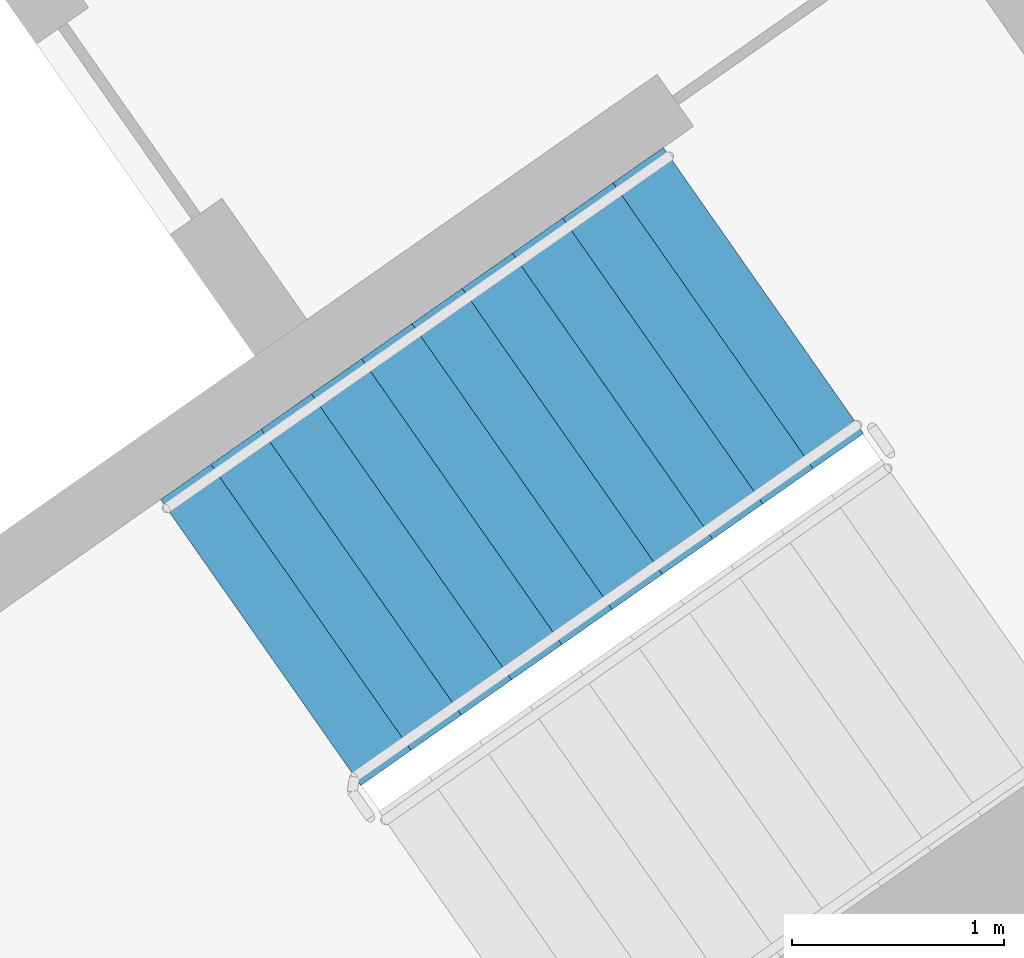
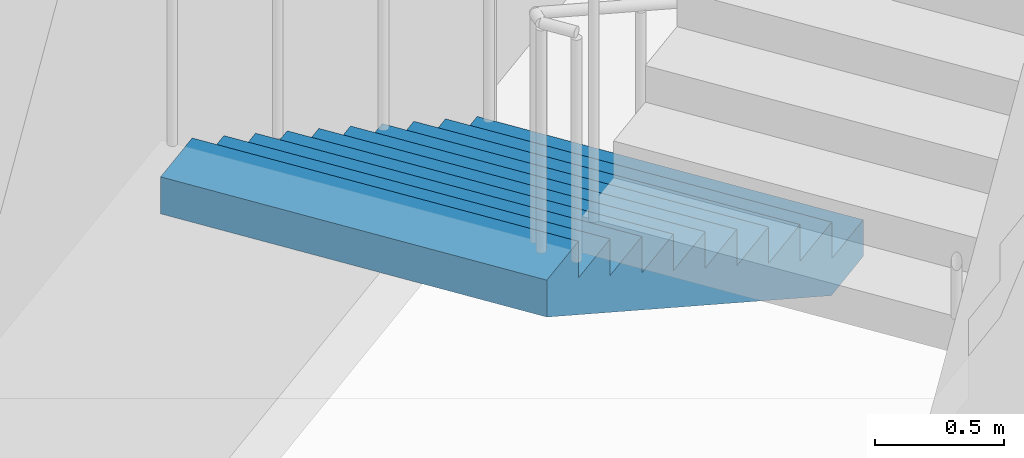
# One storey, part 14 of 29: 1 stair flight, 1 element without a shape of its own.
"""IFC4 building model written with IfcOpenShell, lengths in metres."""

import ifcopenshell
import ifcopenshell.guid

model = None  # the IFC model being written
_history = None  # IfcOwnerHistory: only IFC2X3 demands one
_inside = {}  # id of a spatial element -> (the spatial element, [elements in it])
_under = {}  # id of a project, library or spatial element -> (it, [spatial elements below it])
_declared = {}  # id of a project -> (the project, [libraries it declares])
_typed = {}  # id of a type object -> (the type object, [elements of that type])
_made_of = {}  # id of a material, layer set ... -> (it, [elements and type objects made of it])


def new_model(schema):
    """Start an empty IFC model of exactly this schema.

    Asked for "IFC4X3", IfcOpenShell would pick the latest addendum, in which some entities
    have other attributes; the version numbers below select the first issue.
    IFC2X3 requires an IfcOwnerHistory on every rooted entity: one is made here for all.
    """
    global model, _history
    if schema == "IFC4X3":
        model = ifcopenshell.file(schema_version=(4, 3, 0, 0))
    else:
        model = ifcopenshell.file(schema=schema)
    _inside.clear()
    _under.clear()
    _declared.clear()
    _typed.clear()
    _made_of.clear()
    _history = None
    if model.schema == "IFC2X3":
        org = make("IfcOrganization", Name="unknown")
        user = make(
            "IfcPersonAndOrganization",
            ThePerson=make("IfcPerson", FamilyName="unknown"),
            TheOrganization=org,
        )
        app = make(
            "IfcApplication",
            ApplicationDeveloper=org,
            Version="unknown",
            ApplicationFullName="unknown",
            ApplicationIdentifier="unknown",
        )
        _history = make(
            "IfcOwnerHistory",
            OwningUser=user,
            OwningApplication=app,
            ChangeAction="ADDED",
            CreationDate=0,
        )
    return model


def make(cls, **values):
    """One entity of the class cls with the attributes given. An attribute that is None is left unset."""
    return model.create_entity(
        cls, **{name: value for name, value in values.items() if value is not None}
    )


def rooted(cls, **values):
    """An entity with a GlobalId (a new one), such as an element, a storey or a relation."""
    return make(cls, GlobalId=ifcopenshell.guid.new(), OwnerHistory=_history, **values)


def si_unit(unit_type, name, prefix=None):
    """IfcSIUnit, for example si_unit("LENGTHUNIT", "METRE", prefix="MILLI")."""
    return make("IfcSIUnit", UnitType=unit_type, Prefix=prefix, Name=name)


def assignment(units):
    """IfcUnitAssignment: the units of a project."""
    return None if units is None else make("IfcUnitAssignment", Units=units)


def point(xyz):
    """IfcCartesianPoint."""
    return None if xyz is None else make("IfcCartesianPoint", Coordinates=xyz)


def direction(xyz):
    """IfcDirection."""
    return None if xyz is None else make("IfcDirection", DirectionRatios=xyz)


def frame(location, z_axis=None, x_axis=None):
    """IfcAxis2Placement3D, a coordinate frame: its origin and axes. An axis left out is left unset."""
    return make(
        "IfcAxis2Placement3D",
        Location=point(location),
        Axis=direction(z_axis),
        RefDirection=direction(x_axis),
    )


def origin():
    """The frame at (0, 0, 0) with its axes left unset."""
    return frame((0.0, 0.0, 0.0))


def place(relative_to, where):
    """IfcLocalPlacement: puts the frame where relative to a parent placement (None: the world)."""
    return make(
        "IfcLocalPlacement", PlacementRelTo=relative_to, RelativePlacement=where
    )


def context(
    kind, dimensions, precision=None, world=None, true_north=None, identifier=None
):
    """IfcGeometricRepresentationContext, for example the 3D "Model" context."""
    return make(
        "IfcGeometricRepresentationContext",
        ContextIdentifier=identifier,
        ContextType=kind,
        CoordinateSpaceDimension=dimensions,
        Precision=precision,
        WorldCoordinateSystem=world,
        TrueNorth=true_north,
    )


def subcontext(parent, identifier, kind, view, scale=None):
    """IfcGeometricRepresentationSubContext, for example "Body" below "Model"."""
    return make(
        "IfcGeometricRepresentationSubContext",
        ContextIdentifier=identifier,
        ContextType=kind,
        ParentContext=parent,
        TargetScale=scale,
        TargetView=view,
    )


def project(units=None, contexts=None):
    """IfcProject with its units and contexts."""
    return rooted(
        "IfcProject",
        Name="project",
        RepresentationContexts=contexts,
        UnitsInContext=assignment(units),
    )


def spatial(cls, under=None, at=None, **own):
    """A site, building, storey or space (cls), placed at a placement, below another one or the project."""
    s = rooted(cls, ObjectPlacement=at, **own)
    if under is not None:
        _under.setdefault(under.id(), (under, []))[1].append(s)
    return s


def faces_of(points, faces, orient=None, outer=None):
    """IfcFace entities. A face is a list of loops; a loop is a list of indices into points, from 0.

    orient and outer hold one flag for each loop. By default every Orientation is true, the
    first loop of a face is its IfcFaceOuterBound and the others are IfcFaceBound.
    """
    made = []
    for i, loops in enumerate(faces):
        bounds = []
        for j, loop in enumerate(loops):
            is_outer = j == 0 if outer is None else outer[i][j]
            bounds.append(
                make(
                    "IfcFaceOuterBound" if is_outer else "IfcFaceBound",
                    Bound=make("IfcPolyLoop", Polygon=[points[k] for k in loop]),
                    Orientation=True if orient is None else orient[i][j],
                )
            )
        made.append(make("IfcFace", Bounds=bounds))
    return made


def faceted_brep(points, faces, orient=None, outer=None, voids=None):
    """IfcFacetedBrep: a solid bounded by flat faces; with voids (closed shells), ...WithVoids."""
    shared = [point(p) for p in points]
    hull = make("IfcClosedShell", CfsFaces=faces_of(shared, faces, orient, outer))
    if voids is None:
        return make("IfcFacetedBrep", Outer=hull)
    return make(
        "IfcFacetedBrepWithVoids",
        Outer=hull,
        Voids=[
            make(cls, CfsFaces=faces_of(shared, fs, o, b)) for cls, fs, o, b in voids
        ],
    )


def shape(context_of_items, identifier, shape_type, items):
    """IfcShapeRepresentation: the items that make up one representation, for example the "Body"."""
    return make(
        "IfcShapeRepresentation",
        ContextOfItems=context_of_items,
        RepresentationIdentifier=identifier,
        RepresentationType=shape_type,
        Items=items,
    )


def material(Name=None, Category=None):
    """IfcMaterial."""
    return make("IfcMaterial", Name=Name, Category=Category)


def made_of(thing, what):
    """Note that an element or type object is made of a material, layer set ...; save() writes the relation."""
    if what is not None:
        _made_of.setdefault(what.id(), (what, []))[1].append(thing)
    return thing


def type_object(cls, material=None, **own):
    """A type object (cls), such as IfcWallType, which elements share."""
    return made_of(rooted(cls, **own), material)


def element(
    cls,
    number,
    at=None,
    inside=None,
    cuts=None,
    type_object=None,
    material=None,
    context=None,
    identifier="Body",
    shape_type=None,
    held_by="IfcProductDefinitionShape",
    body=None,
    shapes=None,
    **own,
):
    """One element of the class cls, such as IfcWall. Its Tag is "e" and its number.

    at: its placement. inside: the storey or other place that contains it. cuts: it is an
    opening in that element (IfcRelVoidsElement). A single representation is given by context,
    identifier, shape_type and body (its items); several are given by shapes. held_by: the class
    of the entity that holds the representations. save() writes the other relations.
    """
    e = rooted(cls, Tag="e%d" % number, ObjectPlacement=at, **own)
    if body is not None:
        shapes = [shape(context, identifier, shape_type, body)]
    if shapes is not None:
        e.Representation = make(held_by, Representations=shapes)
    if inside is not None:
        _inside.setdefault(inside.id(), (inside, []))[1].append(e)
    if cuts is not None:
        rooted(
            "IfcRelVoidsElement", RelatingBuildingElement=cuts, RelatedOpeningElement=e
        )
    if type_object is not None:
        _typed.setdefault(type_object.id(), (type_object, []))[1].append(e)
    return made_of(e, material)


def aggregate(whole, parts):
    """IfcRelAggregates: a whole, such as a stair, and the parts it consists of."""
    return rooted("IfcRelAggregates", RelatingObject=whole, RelatedObjects=parts)


def save(model, path):
    """Write the relations noted so far, then the file.

    IfcRelAggregates (storeys below a building ...), IfcRelContainedInSpatialStructure (elements
    in a storey), IfcRelDefinesByType, IfcRelAssociatesMaterial and IfcRelDeclares: one each for
    every whole, place, type object, material and project.
    """
    for whole, parts in _under.values():
        aggregate(whole, parts)
    for where, things in _inside.values():
        rooted(
            "IfcRelContainedInSpatialStructure",
            RelatedElements=things,
            RelatingStructure=where,
        )
    for kind, things in _typed.values():
        rooted("IfcRelDefinesByType", RelatedObjects=things, RelatingType=kind)
    for what, things in _made_of.values():
        rooted("IfcRelAssociatesMaterial", RelatedObjects=things, RelatingMaterial=what)
    for by, libraries in _declared.values():
        rooted("IfcRelDeclares", RelatingContext=by, RelatedDefinitions=libraries)
    model.write(path)


model = new_model("IFC4")

# Units and contexts
model_context = context("Model", 3, precision=1e-05, world=origin(), true_north=direction((0.0, 1.0)))
body_context = subcontext(model_context, "Body", "Model", "MODEL_VIEW")
ifc_project = project(units=[si_unit("LENGTHUNIT", "METRE"), si_unit("AREAUNIT", "SQUARE_METRE"), si_unit("VOLUMEUNIT", "CUBIC_METRE"), si_unit("PLANEANGLEUNIT", "RADIAN"), si_unit("MASSUNIT", "GRAM", prefix="KILO")], contexts=[model_context])

# Site, building, storey
site_placement = place(None, origin())
site = spatial("IfcSite", under=ifc_project, at=site_placement, CompositionType="ELEMENT")
building_placement = place(site_placement, origin())
building = spatial("IfcBuilding", under=site, at=building_placement, Name="Qamariyya Broadcast Tower", CompositionType="ELEMENT")
storey_placement = place(building_placement, frame((0.0, 0.0, 207.5)))
storey = spatial("IfcBuildingStorey", under=building, at=storey_placement, Name="L49", CompositionType="ELEMENT", Elevation=207.5)

# Stair, stair flight
ifc_material = material(Name="Concrete C50/60", Category="concrete")
stair_type = type_object("IfcStairType", Name="Exit stair 22 risers of 173 mm", PredefinedType="HALF_TURN_STAIR", material=ifc_material)
stair_placement = place(storey_placement, origin())
stair = element("IfcStair", 1, at=stair_placement, inside=storey, type_object=stair_type, Name="L49 Stair E1", PredefinedType="HALF_TURN_STAIR")
stair_flight_type = type_object("IfcStairFlightType", Name="Exit stair flight 11 risers of 173 mm", PredefinedType="STRAIGHT", material=ifc_material)
stair_flight_placement = place(storey_placement, frame((46.036376953125, -55.508056640625, 0.0), z_axis=(0.0, 0.0, 1.0), x_axis=(-0.819152044289, -0.573576436351, 0.0)))
stair_flight = element("IfcStairFlight", 2, at=stair_flight_placement, type_object=stair_flight_type, Name="ST-E1 flight 1", NumberOfRisers=11, NumberOfTreads=10, PredefinedType="STRAIGHT", RiserHeight=0.172727273, TreadLength=0.29, context=body_context, shape_type="Brep", body=[
    faceted_brep([(0.0, 0.824951171875, 0.0), (0.0, 0.824951171875, 0.172607421875), (0.2900390625, 0.824951171875, 0.172607421875), (0.2900390625, 0.824951171875, 0.345458984375), (0.580078125, 0.824951171875, 0.345458984375), (0.580078125, 0.824951171875, 0.51806640625), (0.8701171875, 0.824951171875, 0.51806640625), (0.8701171875, 0.824951171875, 0.69091796875), (1.159912109375, 0.824951171875, 0.69091796875), (1.159912109375, 0.824951171875, 0.863525390625), (1.449951171875, 0.824951171875, 0.863525390625), (1.449951171875, 0.824951171875, 1.036376953125), (1.739990234375, 0.824951171875, 1.036376953125), (1.739990234375, 0.824951171875, 1.208984375), (2.030029296875, 0.824951171875, 1.208984375), (2.030029296875, 0.824951171875, 1.3818359375), (2.320068359375, 0.824951171875, 1.3818359375), (2.320068359375, 0.824951171875, 1.554443359375), (2.610107421875, 0.824951171875, 1.554443359375), (2.610107421875, 0.824951171875, 1.727294921875), (2.89990234375, 0.824951171875, 1.727294921875), (2.89990234375, 0.824951171875, 1.552734375), (0.29296875, 0.824951171875, 0.0), (0.29296875, -0.824951171875, 0.0), (2.89990234375, -0.824951171875, 1.552734375), (2.89990234375, -0.824951171875, 1.727294921875), (2.610107421875, -0.824951171875, 1.727294921875), (2.610107421875, -0.824951171875, 1.554443359375), (2.320068359375, -0.824951171875, 1.554443359375), (2.320068359375, -0.824951171875, 1.3818359375), (2.030029296875, -0.824951171875, 1.3818359375), (2.030029296875, -0.824951171875, 1.208984375), (1.739990234375, -0.824951171875, 1.208984375), (1.739990234375, -0.824951171875, 1.036376953125), (1.449951171875, -0.824951171875, 1.036376953125), (1.449951171875, -0.824951171875, 0.863525390625), (1.159912109375, -0.824951171875, 0.863525390625), (1.159912109375, -0.824951171875, 0.69091796875), (0.8701171875, -0.824951171875, 0.69091796875), (0.8701171875, -0.824951171875, 0.51806640625), (0.580078125, -0.824951171875, 0.51806640625), (0.580078125, -0.824951171875, 0.345458984375), (0.2900390625, -0.824951171875, 0.345458984375), (0.2900390625, -0.824951171875, 0.172607421875), (0.0, -0.824951171875, 0.172607421875), (0.0, -0.824951171875, 0.0), (0.0, 0.10009765625, 0.0), (0.0, 0.086669921875, 0.0), (0.0, 0.0732421875, 0.0), (0.0, 0.06005859375, 0.0), (0.0, 0.046630859375, 0.0), (0.0, 0.033447265625, 0.0), (0.0, 0.02001953125, 0.0), (0.0, 0.006591796875, 0.0), (0.0, -0.006591796875, 0.0), (0.0, -0.02001953125, 0.0), (0.0, -0.033447265625, 0.0), (0.0, -0.046630859375, 0.0), (0.0, -0.06005859375, 0.0), (0.0, -0.0732421875, 0.0), (0.0, -0.086669921875, 0.0), (0.0, -0.10009765625, 0.0), (0.0, -0.10009765625, 0.172607421875), (0.0, -0.086669921875, 0.172607421875), (0.0, -0.0732421875, 0.172607421875), (0.0, -0.06005859375, 0.172607421875), (0.0, -0.046630859375, 0.172607421875), (0.0, -0.033447265625, 0.172607421875), (0.0, -0.02001953125, 0.172607421875), (0.0, -0.006591796875, 0.172607421875), (0.0, 0.006591796875, 0.172607421875), (0.0, 0.02001953125, 0.172607421875), (0.0, 0.033447265625, 0.172607421875), (0.0, 0.046630859375, 0.172607421875), (0.0, 0.06005859375, 0.172607421875), (0.0, 0.0732421875, 0.172607421875), (0.0, 0.086669921875, 0.172607421875), (0.0, 0.10009765625, 0.172607421875), (0.2900390625, -0.10009765625, 0.172607421875), (0.2900390625, -0.086669921875, 0.172607421875), (0.2900390625, -0.0732421875, 0.172607421875), (0.2900390625, -0.06005859375, 0.172607421875), (0.2900390625, -0.046630859375, 0.172607421875), (0.2900390625, -0.033447265625, 0.172607421875), (0.2900390625, -0.02001953125, 0.172607421875), (0.2900390625, -0.006591796875, 0.172607421875), (0.2900390625, 0.006591796875, 0.172607421875), (0.2900390625, 0.02001953125, 0.172607421875), (0.2900390625, 0.033447265625, 0.172607421875), (0.2900390625, 0.046630859375, 0.172607421875), (0.2900390625, 0.06005859375, 0.172607421875), (0.2900390625, 0.0732421875, 0.172607421875), (0.2900390625, 0.086669921875, 0.172607421875), (0.2900390625, 0.10009765625, 0.172607421875), (0.2900390625, -0.10009765625, 0.345458984375), (0.2900390625, -0.086669921875, 0.345458984375), (0.2900390625, -0.0732421875, 0.345458984375), (0.2900390625, -0.06005859375, 0.345458984375), (0.2900390625, -0.046630859375, 0.345458984375), (0.2900390625, -0.033447265625, 0.345458984375), (0.2900390625, -0.02001953125, 0.345458984375), (0.2900390625, -0.006591796875, 0.345458984375), (0.2900390625, 0.006591796875, 0.345458984375), (0.2900390625, 0.02001953125, 0.345458984375), (0.2900390625, 0.033447265625, 0.345458984375), (0.2900390625, 0.046630859375, 0.345458984375), (0.2900390625, 0.06005859375, 0.345458984375), (0.2900390625, 0.0732421875, 0.345458984375), (0.2900390625, 0.086669921875, 0.345458984375), (0.2900390625, 0.10009765625, 0.345458984375), (0.580078125, -0.10009765625, 0.345458984375), (0.580078125, -0.086669921875, 0.345458984375), (0.580078125, -0.0732421875, 0.345458984375), (0.580078125, -0.06005859375, 0.345458984375), (0.580078125, -0.046630859375, 0.345458984375), (0.580078125, -0.033447265625, 0.345458984375), (0.580078125, -0.02001953125, 0.345458984375), (0.580078125, -0.006591796875, 0.345458984375), (0.580078125, 0.006591796875, 0.345458984375), (0.580078125, 0.02001953125, 0.345458984375), (0.580078125, 0.033447265625, 0.345458984375), (0.580078125, 0.046630859375, 0.345458984375), (0.580078125, 0.06005859375, 0.345458984375), (0.580078125, 0.0732421875, 0.345458984375), (0.580078125, 0.086669921875, 0.345458984375), (0.580078125, 0.10009765625, 0.345458984375), (0.580078125, -0.10009765625, 0.51806640625), (0.580078125, -0.086669921875, 0.51806640625), (0.580078125, -0.0732421875, 0.51806640625), (0.580078125, -0.06005859375, 0.51806640625), (0.580078125, -0.046630859375, 0.51806640625), (0.580078125, -0.033447265625, 0.51806640625), (0.580078125, -0.02001953125, 0.51806640625), (0.580078125, -0.006591796875, 0.51806640625), (0.580078125, 0.006591796875, 0.51806640625), (0.580078125, 0.02001953125, 0.51806640625), (0.580078125, 0.033447265625, 0.51806640625), (0.580078125, 0.046630859375, 0.51806640625), (0.580078125, 0.06005859375, 0.51806640625), (0.580078125, 0.0732421875, 0.51806640625), (0.580078125, 0.086669921875, 0.51806640625), (0.580078125, 0.10009765625, 0.51806640625), (0.8701171875, -0.10009765625, 0.51806640625), (0.8701171875, -0.086669921875, 0.51806640625), (0.8701171875, -0.0732421875, 0.51806640625), (0.8701171875, -0.06005859375, 0.51806640625), (0.8701171875, -0.046630859375, 0.51806640625), (0.8701171875, -0.033447265625, 0.51806640625), (0.8701171875, -0.02001953125, 0.51806640625), (0.8701171875, -0.006591796875, 0.51806640625), (0.8701171875, 0.006591796875, 0.51806640625), (0.8701171875, 0.02001953125, 0.51806640625), (0.8701171875, 0.033447265625, 0.51806640625), (0.8701171875, 0.046630859375, 0.51806640625), (0.8701171875, 0.06005859375, 0.51806640625), (0.8701171875, 0.0732421875, 0.51806640625), (0.8701171875, 0.086669921875, 0.51806640625), (0.8701171875, 0.10009765625, 0.51806640625), (0.8701171875, -0.10009765625, 0.69091796875), (0.8701171875, -0.086669921875, 0.69091796875), (0.8701171875, -0.0732421875, 0.69091796875), (0.8701171875, -0.06005859375, 0.69091796875), (0.8701171875, -0.046630859375, 0.69091796875), (0.8701171875, -0.033447265625, 0.69091796875), (0.8701171875, -0.02001953125, 0.69091796875), (0.8701171875, -0.006591796875, 0.69091796875), (0.8701171875, 0.006591796875, 0.69091796875), (0.8701171875, 0.02001953125, 0.69091796875), (0.8701171875, 0.033447265625, 0.69091796875), (0.8701171875, 0.046630859375, 0.69091796875), (0.8701171875, 0.06005859375, 0.69091796875), (0.8701171875, 0.0732421875, 0.69091796875), (0.8701171875, 0.086669921875, 0.69091796875), (0.8701171875, 0.10009765625, 0.69091796875), (1.159912109375, -0.10009765625, 0.69091796875), (1.159912109375, -0.086669921875, 0.69091796875), (1.159912109375, -0.0732421875, 0.69091796875), (1.159912109375, -0.06005859375, 0.69091796875), (1.159912109375, -0.046630859375, 0.69091796875), (1.159912109375, -0.033447265625, 0.69091796875), (1.159912109375, -0.02001953125, 0.69091796875), (1.159912109375, -0.006591796875, 0.69091796875), (1.159912109375, 0.006591796875, 0.69091796875), (1.159912109375, 0.02001953125, 0.69091796875), (1.159912109375, 0.033447265625, 0.69091796875), (1.159912109375, 0.046630859375, 0.69091796875), (1.159912109375, 0.06005859375, 0.69091796875), (1.159912109375, 0.0732421875, 0.69091796875), (1.159912109375, 0.086669921875, 0.69091796875), (1.159912109375, 0.10009765625, 0.69091796875), (1.159912109375, -0.10009765625, 0.863525390625), (1.159912109375, -0.086669921875, 0.863525390625), (1.159912109375, -0.0732421875, 0.863525390625), (1.159912109375, -0.06005859375, 0.863525390625), (1.159912109375, -0.046630859375, 0.863525390625), (1.159912109375, -0.033447265625, 0.863525390625), (1.159912109375, -0.02001953125, 0.863525390625), (1.159912109375, -0.006591796875, 0.863525390625), (1.159912109375, 0.006591796875, 0.863525390625), (1.159912109375, 0.02001953125, 0.863525390625), (1.159912109375, 0.033447265625, 0.863525390625), (1.159912109375, 0.046630859375, 0.863525390625), (1.159912109375, 0.06005859375, 0.863525390625), (1.159912109375, 0.0732421875, 0.863525390625), (1.159912109375, 0.086669921875, 0.863525390625), (1.159912109375, 0.10009765625, 0.863525390625), (1.449951171875, -0.10009765625, 0.863525390625), (1.449951171875, -0.086669921875, 0.863525390625), (1.449951171875, -0.0732421875, 0.863525390625), (1.449951171875, -0.06005859375, 0.863525390625), (1.449951171875, -0.046630859375, 0.863525390625), (1.449951171875, -0.033447265625, 0.863525390625), (1.449951171875, -0.02001953125, 0.863525390625), (1.449951171875, -0.006591796875, 0.863525390625), (1.449951171875, 0.006591796875, 0.863525390625), (1.449951171875, 0.02001953125, 0.863525390625), (1.449951171875, 0.033447265625, 0.863525390625), (1.449951171875, 0.046630859375, 0.863525390625), (1.449951171875, 0.06005859375, 0.863525390625), (1.449951171875, 0.0732421875, 0.863525390625), (1.449951171875, 0.086669921875, 0.863525390625), (1.449951171875, 0.10009765625, 0.863525390625), (1.449951171875, -0.10009765625, 1.036376953125), (1.449951171875, -0.086669921875, 1.036376953125), (1.449951171875, -0.0732421875, 1.036376953125), (1.449951171875, -0.06005859375, 1.036376953125), (1.449951171875, -0.046630859375, 1.036376953125), (1.449951171875, -0.033447265625, 1.036376953125), (1.449951171875, -0.02001953125, 1.036376953125), (1.449951171875, -0.006591796875, 1.036376953125), (1.449951171875, 0.006591796875, 1.036376953125), (1.449951171875, 0.02001953125, 1.036376953125), (1.449951171875, 0.033447265625, 1.036376953125), (1.449951171875, 0.046630859375, 1.036376953125), (1.449951171875, 0.06005859375, 1.036376953125), (1.449951171875, 0.0732421875, 1.036376953125), (1.449951171875, 0.086669921875, 1.036376953125), (1.449951171875, 0.10009765625, 1.036376953125), (1.739990234375, -0.10009765625, 1.036376953125), (1.739990234375, -0.086669921875, 1.036376953125), (1.739990234375, -0.0732421875, 1.036376953125), (1.739990234375, -0.06005859375, 1.036376953125), (1.739990234375, -0.046630859375, 1.036376953125), (1.739990234375, -0.033447265625, 1.036376953125), (1.739990234375, -0.02001953125, 1.036376953125), (1.739990234375, -0.006591796875, 1.036376953125), (1.739990234375, 0.006591796875, 1.036376953125), (1.739990234375, 0.02001953125, 1.036376953125), (1.739990234375, 0.033447265625, 1.036376953125), (1.739990234375, 0.046630859375, 1.036376953125), (1.739990234375, 0.06005859375, 1.036376953125), (1.739990234375, 0.0732421875, 1.036376953125), (1.739990234375, 0.086669921875, 1.036376953125), (1.739990234375, 0.10009765625, 1.036376953125), (1.739990234375, -0.10009765625, 1.208984375), (1.739990234375, -0.086669921875, 1.208984375), (1.739990234375, -0.0732421875, 1.208984375), (1.739990234375, -0.06005859375, 1.208984375), (1.739990234375, -0.046630859375, 1.208984375), (1.739990234375, -0.033447265625, 1.208984375), (1.739990234375, -0.02001953125, 1.208984375), (1.739990234375, -0.006591796875, 1.208984375), (1.739990234375, 0.006591796875, 1.208984375), (1.739990234375, 0.02001953125, 1.208984375), (1.739990234375, 0.033447265625, 1.208984375), (1.739990234375, 0.046630859375, 1.208984375), (1.739990234375, 0.06005859375, 1.208984375), (1.739990234375, 0.0732421875, 1.208984375), (1.739990234375, 0.086669921875, 1.208984375), (1.739990234375, 0.10009765625, 1.208984375), (2.030029296875, -0.10009765625, 1.208984375), (2.030029296875, -0.086669921875, 1.208984375), (2.030029296875, -0.0732421875, 1.208984375), (2.030029296875, -0.06005859375, 1.208984375), (2.030029296875, -0.046630859375, 1.208984375), (2.030029296875, -0.033447265625, 1.208984375), (2.030029296875, -0.02001953125, 1.208984375), (2.030029296875, -0.006591796875, 1.208984375), (2.030029296875, 0.006591796875, 1.208984375), (2.030029296875, 0.02001953125, 1.208984375), (2.030029296875, 0.033447265625, 1.208984375), (2.030029296875, 0.046630859375, 1.208984375), (2.030029296875, 0.06005859375, 1.208984375), (2.030029296875, 0.0732421875, 1.208984375), (2.030029296875, 0.086669921875, 1.208984375), (2.030029296875, 0.10009765625, 1.208984375), (2.030029296875, -0.10009765625, 1.3818359375), (2.030029296875, -0.086669921875, 1.3818359375), (2.030029296875, -0.0732421875, 1.3818359375), (2.030029296875, -0.06005859375, 1.3818359375), (2.030029296875, -0.046630859375, 1.3818359375), (2.030029296875, -0.033447265625, 1.3818359375), (2.030029296875, -0.02001953125, 1.3818359375), (2.030029296875, -0.006591796875, 1.3818359375), (2.030029296875, 0.006591796875, 1.3818359375), (2.030029296875, 0.02001953125, 1.3818359375), (2.030029296875, 0.033447265625, 1.3818359375), (2.030029296875, 0.046630859375, 1.3818359375), (2.030029296875, 0.06005859375, 1.3818359375), (2.030029296875, 0.0732421875, 1.3818359375), (2.030029296875, 0.086669921875, 1.3818359375), (2.030029296875, 0.10009765625, 1.3818359375), (2.320068359375, -0.10009765625, 1.3818359375), (2.320068359375, -0.086669921875, 1.3818359375), (2.320068359375, -0.0732421875, 1.3818359375), (2.320068359375, -0.06005859375, 1.3818359375), (2.320068359375, -0.046630859375, 1.3818359375), (2.320068359375, -0.033447265625, 1.3818359375), (2.320068359375, -0.02001953125, 1.3818359375), (2.320068359375, -0.006591796875, 1.3818359375), (2.320068359375, 0.006591796875, 1.3818359375), (2.320068359375, 0.02001953125, 1.3818359375), (2.320068359375, 0.033447265625, 1.3818359375), (2.320068359375, 0.046630859375, 1.3818359375), (2.320068359375, 0.06005859375, 1.3818359375), (2.320068359375, 0.0732421875, 1.3818359375), (2.320068359375, 0.086669921875, 1.3818359375), (2.320068359375, 0.10009765625, 1.3818359375), (2.320068359375, -0.10009765625, 1.554443359375), (2.320068359375, -0.086669921875, 1.554443359375), (2.320068359375, -0.0732421875, 1.554443359375), (2.320068359375, -0.06005859375, 1.554443359375), (2.320068359375, -0.046630859375, 1.554443359375), (2.320068359375, -0.033447265625, 1.554443359375), (2.320068359375, -0.02001953125, 1.554443359375), (2.320068359375, -0.006591796875, 1.554443359375), (2.320068359375, 0.006591796875, 1.554443359375), (2.320068359375, 0.02001953125, 1.554443359375), (2.320068359375, 0.033447265625, 1.554443359375), (2.320068359375, 0.046630859375, 1.554443359375), (2.320068359375, 0.06005859375, 1.554443359375), (2.320068359375, 0.0732421875, 1.554443359375), (2.320068359375, 0.086669921875, 1.554443359375), (2.320068359375, 0.10009765625, 1.554443359375), (2.610107421875, -0.10009765625, 1.554443359375), (2.610107421875, -0.086669921875, 1.554443359375), (2.610107421875, -0.0732421875, 1.554443359375), (2.610107421875, -0.06005859375, 1.554443359375), (2.610107421875, -0.046630859375, 1.554443359375), (2.610107421875, -0.033447265625, 1.554443359375), (2.610107421875, -0.02001953125, 1.554443359375), (2.610107421875, -0.006591796875, 1.554443359375), (2.610107421875, 0.006591796875, 1.554443359375), (2.610107421875, 0.02001953125, 1.554443359375), (2.610107421875, 0.033447265625, 1.554443359375), (2.610107421875, 0.046630859375, 1.554443359375), (2.610107421875, 0.06005859375, 1.554443359375), (2.610107421875, 0.0732421875, 1.554443359375), (2.610107421875, 0.086669921875, 1.554443359375), (2.610107421875, 0.10009765625, 1.554443359375), (2.610107421875, -0.10009765625, 1.727294921875), (2.610107421875, -0.086669921875, 1.727294921875), (2.610107421875, -0.0732421875, 1.727294921875), (2.610107421875, -0.06005859375, 1.727294921875), (2.610107421875, -0.046630859375, 1.727294921875), (2.610107421875, -0.033447265625, 1.727294921875), (2.610107421875, -0.02001953125, 1.727294921875), (2.610107421875, -0.006591796875, 1.727294921875), (2.610107421875, 0.006591796875, 1.727294921875), (2.610107421875, 0.02001953125, 1.727294921875), (2.610107421875, 0.033447265625, 1.727294921875), (2.610107421875, 0.046630859375, 1.727294921875), (2.610107421875, 0.06005859375, 1.727294921875), (2.610107421875, 0.0732421875, 1.727294921875), (2.610107421875, 0.086669921875, 1.727294921875), (2.610107421875, 0.10009765625, 1.727294921875), (2.89990234375, -0.10009765625, 1.727294921875), (2.89990234375, -0.086669921875, 1.727294921875), (2.89990234375, -0.0732421875, 1.727294921875), (2.89990234375, -0.06005859375, 1.727294921875), (2.89990234375, -0.046630859375, 1.727294921875), (2.89990234375, -0.033447265625, 1.727294921875), (2.89990234375, -0.02001953125, 1.727294921875), (2.89990234375, -0.006591796875, 1.727294921875), (2.89990234375, 0.006591796875, 1.727294921875), (2.89990234375, 0.02001953125, 1.727294921875), (2.89990234375, 0.033447265625, 1.727294921875), (2.89990234375, 0.046630859375, 1.727294921875), (2.89990234375, 0.06005859375, 1.727294921875), (2.89990234375, 0.0732421875, 1.727294921875), (2.89990234375, 0.086669921875, 1.727294921875), (2.89990234375, 0.10009765625, 1.727294921875), (2.89990234375, -0.10009765625, 1.552734375), (2.89990234375, -0.086669921875, 1.552734375), (2.89990234375, -0.0732421875, 1.552734375), (2.89990234375, -0.06005859375, 1.552734375), (2.89990234375, -0.046630859375, 1.552734375), (2.89990234375, -0.033447265625, 1.552734375), (2.89990234375, -0.02001953125, 1.552734375), (2.89990234375, -0.006591796875, 1.552734375), (2.89990234375, 0.006591796875, 1.552734375), (2.89990234375, 0.02001953125, 1.552734375), (2.89990234375, 0.033447265625, 1.552734375), (2.89990234375, 0.046630859375, 1.552734375), (2.89990234375, 0.06005859375, 1.552734375), (2.89990234375, 0.0732421875, 1.552734375), (2.89990234375, 0.086669921875, 1.552734375), (2.89990234375, 0.10009765625, 1.552734375), (0.29296875, -0.10009765625, 0.0), (0.29296875, -0.086669921875, 0.0), (0.29296875, -0.0732421875, 0.0), (0.29296875, -0.06005859375, 0.0), (0.29296875, -0.046630859375, 0.0), (0.29296875, -0.033447265625, 0.0), (0.29296875, -0.02001953125, 0.0), (0.29296875, -0.006591796875, 0.0), (0.29296875, 0.006591796875, 0.0), (0.29296875, 0.02001953125, 0.0), (0.29296875, 0.033447265625, 0.0), (0.29296875, 0.046630859375, 0.0), (0.29296875, 0.06005859375, 0.0), (0.29296875, 0.0732421875, 0.0), (0.29296875, 0.086669921875, 0.0), (0.29296875, 0.10009765625, 0.0)], [[[0, 1, 2, 3, 4, 5, 6, 7, 8, 9, 10, 11, 12, 13, 14, 15, 16, 17, 18, 19, 20, 21, 22]], [[23, 24, 25, 26, 27, 28, 29, 30, 31, 32, 33, 34, 35, 36, 37, 38, 39, 40, 41, 42, 43, 44, 45]], [[0, 46, 47, 48, 49, 50, 51, 52, 53, 54, 55, 56, 57, 58, 59, 60, 61, 45, 44, 62, 63, 64, 65, 66, 67, 68, 69, 70, 71, 72, 73, 74, 75, 76, 77, 1]], [[1, 77, 76, 75, 74, 73, 72, 71, 70, 69, 68, 67, 66, 65, 64, 63, 62, 44, 43, 78, 79, 80, 81, 82, 83, 84, 85, 86, 87, 88, 89, 90, 91, 92, 93, 2]], [[2, 93, 92, 91, 90, 89, 88, 87, 86, 85, 84, 83, 82, 81, 80, 79, 78, 43, 42, 94, 95, 96, 97, 98, 99, 100, 101, 102, 103, 104, 105, 106, 107, 108, 109, 3]], [[3, 109, 108, 107, 106, 105, 104, 103, 102, 101, 100, 99, 98, 97, 96, 95, 94, 42, 41, 110, 111, 112, 113, 114, 115, 116, 117, 118, 119, 120, 121, 122, 123, 124, 125, 4]], [[4, 125, 124, 123, 122, 121, 120, 119, 118, 117, 116, 115, 114, 113, 112, 111, 110, 41, 40, 126, 127, 128, 129, 130, 131, 132, 133, 134, 135, 136, 137, 138, 139, 140, 141, 5]], [[5, 141, 140, 139, 138, 137, 136, 135, 134, 133, 132, 131, 130, 129, 128, 127, 126, 40, 39, 142, 143, 144, 145, 146, 147, 148, 149, 150, 151, 152, 153, 154, 155, 156, 157, 6]], [[6, 157, 156, 155, 154, 153, 152, 151, 150, 149, 148, 147, 146, 145, 144, 143, 142, 39, 38, 158, 159, 160, 161, 162, 163, 164, 165, 166, 167, 168, 169, 170, 171, 172, 173, 7]], [[7, 173, 172, 171, 170, 169, 168, 167, 166, 165, 164, 163, 162, 161, 160, 159, 158, 38, 37, 174, 175, 176, 177, 178, 179, 180, 181, 182, 183, 184, 185, 186, 187, 188, 189, 8]], [[8, 189, 188, 187, 186, 185, 184, 183, 182, 181, 180, 179, 178, 177, 176, 175, 174, 37, 36, 190, 191, 192, 193, 194, 195, 196, 197, 198, 199, 200, 201, 202, 203, 204, 205, 9]], [[9, 205, 204, 203, 202, 201, 200, 199, 198, 197, 196, 195, 194, 193, 192, 191, 190, 36, 35, 206, 207, 208, 209, 210, 211, 212, 213, 214, 215, 216, 217, 218, 219, 220, 221, 10]], [[10, 221, 220, 219, 218, 217, 216, 215, 214, 213, 212, 211, 210, 209, 208, 207, 206, 35, 34, 222, 223, 224, 225, 226, 227, 228, 229, 230, 231, 232, 233, 234, 235, 236, 237, 11]], [[11, 237, 236, 235, 234, 233, 232, 231, 230, 229, 228, 227, 226, 225, 224, 223, 222, 34, 33, 238, 239, 240, 241, 242, 243, 244, 245, 246, 247, 248, 249, 250, 251, 252, 253, 12]], [[12, 253, 252, 251, 250, 249, 248, 247, 246, 245, 244, 243, 242, 241, 240, 239, 238, 33, 32, 254, 255, 256, 257, 258, 259, 260, 261, 262, 263, 264, 265, 266, 267, 268, 269, 13]], [[13, 269, 268, 267, 266, 265, 264, 263, 262, 261, 260, 259, 258, 257, 256, 255, 254, 32, 31, 270, 271, 272, 273, 274, 275, 276, 277, 278, 279, 280, 281, 282, 283, 284, 285, 14]], [[14, 285, 284, 283, 282, 281, 280, 279, 278, 277, 276, 275, 274, 273, 272, 271, 270, 31, 30, 286, 287, 288, 289, 290, 291, 292, 293, 294, 295, 296, 297, 298, 299, 300, 301, 15]], [[15, 301, 300, 299, 298, 297, 296, 295, 294, 293, 292, 291, 290, 289, 288, 287, 286, 30, 29, 302, 303, 304, 305, 306, 307, 308, 309, 310, 311, 312, 313, 314, 315, 316, 317, 16]], [[16, 317, 316, 315, 314, 313, 312, 311, 310, 309, 308, 307, 306, 305, 304, 303, 302, 29, 28, 318, 319, 320, 321, 322, 323, 324, 325, 326, 327, 328, 329, 330, 331, 332, 333, 17]], [[17, 333, 332, 331, 330, 329, 328, 327, 326, 325, 324, 323, 322, 321, 320, 319, 318, 28, 27, 334, 335, 336, 337, 338, 339, 340, 341, 342, 343, 344, 345, 346, 347, 348, 349, 18]], [[18, 349, 348, 347, 346, 345, 344, 343, 342, 341, 340, 339, 338, 337, 336, 335, 334, 27, 26, 350, 351, 352, 353, 354, 355, 356, 357, 358, 359, 360, 361, 362, 363, 364, 365, 19]], [[19, 365, 364, 363, 362, 361, 360, 359, 358, 357, 356, 355, 354, 353, 352, 351, 350, 26, 25, 366, 367, 368, 369, 370, 371, 372, 373, 374, 375, 376, 377, 378, 379, 380, 381, 20]], [[20, 381, 380, 379, 378, 377, 376, 375, 374, 373, 372, 371, 370, 369, 368, 367, 366, 25, 24, 382, 383, 384, 385, 386, 387, 388, 389, 390, 391, 392, 393, 394, 395, 396, 397, 21]], [[21, 397, 396, 395, 394, 393, 392, 391, 390, 389, 388, 387, 386, 385, 384, 383, 382, 24, 23, 398, 399, 400, 401, 402, 403, 404, 405, 406, 407, 408, 409, 410, 411, 412, 413, 22]], [[22, 413, 412, 411, 410, 409, 408, 407, 406, 405, 404, 403, 402, 401, 400, 399, 398, 23, 45, 61, 60, 59, 58, 57, 56, 55, 54, 53, 52, 51, 50, 49, 48, 47, 46, 0]]]),
])
aggregate(stair, [stair_flight])

save(model, "model.ifc")
